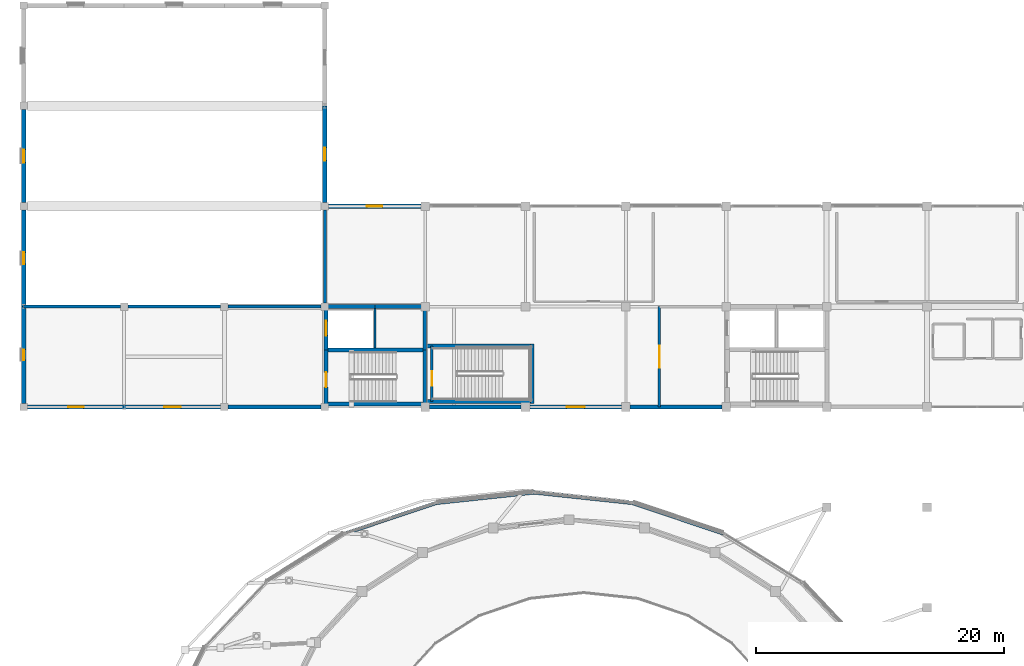
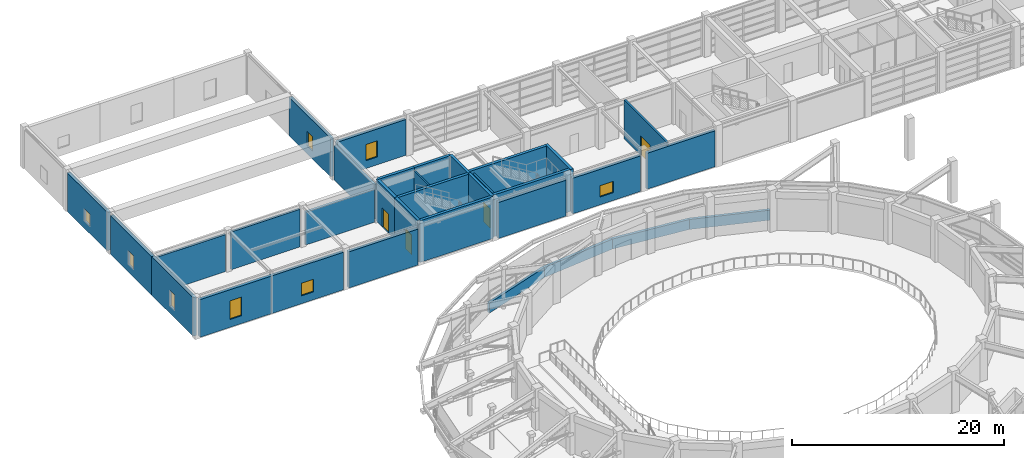
# One storey, part 44 of 58: 33 walls, 8 windows, 4 doors, 12 openings.
"""IFC4 building model written with IfcOpenShell, lengths in metres."""

import ifcopenshell
import ifcopenshell.guid

model = None  # the IFC model being written
_history = None  # IfcOwnerHistory: only IFC2X3 demands one
_inside = {}  # id of a spatial element -> (the spatial element, [elements in it])
_under = {}  # id of a project, library or spatial element -> (it, [spatial elements below it])
_declared = {}  # id of a project -> (the project, [libraries it declares])
_typed = {}  # id of a type object -> (the type object, [elements of that type])
_made_of = {}  # id of a material, layer set ... -> (it, [elements and type objects made of it])


def new_model(schema):
    """Start an empty IFC model of exactly this schema.

    Asked for "IFC4X3", IfcOpenShell would pick the latest addendum, in which some entities
    have other attributes; the version numbers below select the first issue.
    IFC2X3 requires an IfcOwnerHistory on every rooted entity: one is made here for all.
    """
    global model, _history
    if schema == "IFC4X3":
        model = ifcopenshell.file(schema_version=(4, 3, 0, 0))
    else:
        model = ifcopenshell.file(schema=schema)
    _inside.clear()
    _under.clear()
    _declared.clear()
    _typed.clear()
    _made_of.clear()
    _history = None
    if model.schema == "IFC2X3":
        org = make("IfcOrganization", Name="unknown")
        user = make(
            "IfcPersonAndOrganization",
            ThePerson=make("IfcPerson", FamilyName="unknown"),
            TheOrganization=org,
        )
        app = make(
            "IfcApplication",
            ApplicationDeveloper=org,
            Version="unknown",
            ApplicationFullName="unknown",
            ApplicationIdentifier="unknown",
        )
        _history = make(
            "IfcOwnerHistory",
            OwningUser=user,
            OwningApplication=app,
            ChangeAction="ADDED",
            CreationDate=0,
        )
    return model


def make(cls, **values):
    """One entity of the class cls with the attributes given. An attribute that is None is left unset."""
    return model.create_entity(
        cls, **{name: value for name, value in values.items() if value is not None}
    )


def rooted(cls, **values):
    """An entity with a GlobalId (a new one), such as an element, a storey or a relation."""
    return make(cls, GlobalId=ifcopenshell.guid.new(), OwnerHistory=_history, **values)


def si_unit(unit_type, name, prefix=None):
    """IfcSIUnit, for example si_unit("LENGTHUNIT", "METRE", prefix="MILLI")."""
    return make("IfcSIUnit", UnitType=unit_type, Prefix=prefix, Name=name)


def assignment(units):
    """IfcUnitAssignment: the units of a project."""
    return None if units is None else make("IfcUnitAssignment", Units=units)


def point(xyz):
    """IfcCartesianPoint."""
    return None if xyz is None else make("IfcCartesianPoint", Coordinates=xyz)


def direction(xyz):
    """IfcDirection."""
    return None if xyz is None else make("IfcDirection", DirectionRatios=xyz)


def frame(location, z_axis=None, x_axis=None):
    """IfcAxis2Placement3D, a coordinate frame: its origin and axes. An axis left out is left unset."""
    return make(
        "IfcAxis2Placement3D",
        Location=point(location),
        Axis=direction(z_axis),
        RefDirection=direction(x_axis),
    )


def frame_2d(location, x_axis=None):
    """IfcAxis2Placement2D, a coordinate frame in the plane: its origin and x axis."""
    return make(
        "IfcAxis2Placement2D", Location=point(location), RefDirection=direction(x_axis)
    )


def origin():
    """The frame at (0, 0, 0) with its axes left unset."""
    return frame((0.0, 0.0, 0.0))


def place(relative_to, where):
    """IfcLocalPlacement: puts the frame where relative to a parent placement (None: the world)."""
    return make(
        "IfcLocalPlacement", PlacementRelTo=relative_to, RelativePlacement=where
    )


def context(
    kind, dimensions, precision=None, world=None, true_north=None, identifier=None
):
    """IfcGeometricRepresentationContext, for example the 3D "Model" context."""
    return make(
        "IfcGeometricRepresentationContext",
        ContextIdentifier=identifier,
        ContextType=kind,
        CoordinateSpaceDimension=dimensions,
        Precision=precision,
        WorldCoordinateSystem=world,
        TrueNorth=true_north,
    )


def subcontext(parent, identifier, kind, view, scale=None):
    """IfcGeometricRepresentationSubContext, for example "Body" below "Model"."""
    return make(
        "IfcGeometricRepresentationSubContext",
        ContextIdentifier=identifier,
        ContextType=kind,
        ParentContext=parent,
        TargetScale=scale,
        TargetView=view,
    )


def project(units=None, contexts=None):
    """IfcProject with its units and contexts."""
    return rooted(
        "IfcProject",
        Name="project",
        RepresentationContexts=contexts,
        UnitsInContext=assignment(units),
    )


def spatial(cls, under=None, at=None, **own):
    """A site, building, storey or space (cls), placed at a placement, below another one or the project."""
    s = rooted(cls, ObjectPlacement=at, **own)
    if under is not None:
        _under.setdefault(under.id(), (under, []))[1].append(s)
    return s


def profile(cls, at=None, kind="AREA", **sizes):
    """A parametric profile (cls). Its sizes go by their IFC names, for example OverallWidth=200.0."""
    return make(cls, ProfileType=kind, Position=at, **sizes)


def rectangle(**sizes):
    """IfcRectangleProfileDef."""
    return profile("IfcRectangleProfileDef", **sizes)


def extrude(swept, where, along, depth):
    """IfcExtrudedAreaSolid: the profile swept, set in the frame where, extruded along a direction by depth."""
    return make(
        "IfcExtrudedAreaSolid",
        SweptArea=swept,
        Position=where,
        ExtrudedDirection=direction(along),
        Depth=depth,
    )


def shape(context_of_items, identifier, shape_type, items):
    """IfcShapeRepresentation: the items that make up one representation, for example the "Body"."""
    return make(
        "IfcShapeRepresentation",
        ContextOfItems=context_of_items,
        RepresentationIdentifier=identifier,
        RepresentationType=shape_type,
        Items=items,
    )


def material(Name=None, Category=None):
    """IfcMaterial."""
    return make("IfcMaterial", Name=Name, Category=Category)


def layer(
    of_material, thickness, ventilated=None, Name=None, Category=None, Priority=None
):
    """IfcMaterialLayer: one layer of a wall or slab, of a material (None: an air gap)."""
    return make(
        "IfcMaterialLayer",
        Material=of_material,
        LayerThickness=thickness,
        IsVentilated=ventilated,
        Name=Name,
        Category=Category,
        Priority=Priority,
    )


def layer_set(layers, Name=None):
    """IfcMaterialLayerSet."""
    return make("IfcMaterialLayerSet", MaterialLayers=layers, LayerSetName=Name)


def made_of(thing, what):
    """Note that an element or type object is made of a material, layer set ...; save() writes the relation."""
    if what is not None:
        _made_of.setdefault(what.id(), (what, []))[1].append(thing)
    return thing


def type_object(cls, material=None, **own):
    """A type object (cls), such as IfcWallType, which elements share."""
    return made_of(rooted(cls, **own), material)


def element(
    cls,
    number,
    at=None,
    inside=None,
    cuts=None,
    type_object=None,
    material=None,
    context=None,
    identifier="Body",
    shape_type=None,
    held_by="IfcProductDefinitionShape",
    body=None,
    shapes=None,
    **own,
):
    """One element of the class cls, such as IfcWall. Its Tag is "e" and its number.

    at: its placement. inside: the storey or other place that contains it. cuts: it is an
    opening in that element (IfcRelVoidsElement). A single representation is given by context,
    identifier, shape_type and body (its items); several are given by shapes. held_by: the class
    of the entity that holds the representations. save() writes the other relations.
    """
    e = rooted(cls, Tag="e%d" % number, ObjectPlacement=at, **own)
    if body is not None:
        shapes = [shape(context, identifier, shape_type, body)]
    if shapes is not None:
        e.Representation = make(held_by, Representations=shapes)
    if inside is not None:
        _inside.setdefault(inside.id(), (inside, []))[1].append(e)
    if cuts is not None:
        rooted(
            "IfcRelVoidsElement", RelatingBuildingElement=cuts, RelatedOpeningElement=e
        )
    if type_object is not None:
        _typed.setdefault(type_object.id(), (type_object, []))[1].append(e)
    return made_of(e, material)


def fill(opening, filler):
    """IfcRelFillsElement: the door or window that sits in an opening."""
    return rooted(
        "IfcRelFillsElement",
        RelatingOpeningElement=opening,
        RelatedBuildingElement=filler,
    )


def aggregate(whole, parts):
    """IfcRelAggregates: a whole, such as a stair, and the parts it consists of."""
    return rooted("IfcRelAggregates", RelatingObject=whole, RelatedObjects=parts)


def save(model, path):
    """Write the relations noted so far, then the file.

    IfcRelAggregates (storeys below a building ...), IfcRelContainedInSpatialStructure (elements
    in a storey), IfcRelDefinesByType, IfcRelAssociatesMaterial and IfcRelDeclares: one each for
    every whole, place, type object, material and project.
    """
    for whole, parts in _under.values():
        aggregate(whole, parts)
    for where, things in _inside.values():
        rooted(
            "IfcRelContainedInSpatialStructure",
            RelatedElements=things,
            RelatingStructure=where,
        )
    for kind, things in _typed.values():
        rooted("IfcRelDefinesByType", RelatedObjects=things, RelatingType=kind)
    for what, things in _made_of.values():
        rooted("IfcRelAssociatesMaterial", RelatedObjects=things, RelatingMaterial=what)
    for by, libraries in _declared.values():
        rooted("IfcRelDeclares", RelatingContext=by, RelatedDefinitions=libraries)
    model.write(path)


model = new_model("IFC4")

# Units and contexts
model_context = context("Model", 3, precision=1e-05, world=origin(), true_north=direction((0.0, 1.0)))
body_context = subcontext(model_context, "Body", "Model", "MODEL_VIEW")
ifc_project = project(units=[si_unit("LENGTHUNIT", "METRE"), si_unit("AREAUNIT", "SQUARE_METRE"), si_unit("VOLUMEUNIT", "CUBIC_METRE"), si_unit("PLANEANGLEUNIT", "RADIAN"), si_unit("MASSUNIT", "GRAM", prefix="KILO")], contexts=[model_context])

# Site, building, storey
site_placement = place(None, origin())
site = spatial("IfcSite", under=ifc_project, at=site_placement, CompositionType="ELEMENT")
building_placement = place(site_placement, origin())
building = spatial("IfcBuilding", under=site, at=building_placement, Name="Parian Resonance Hall", CompositionType="ELEMENT")
storey_placement = place(building_placement, frame((0.0, 0.0, 10.199951171875)))
storey = spatial("IfcBuildingStorey", under=building, at=storey_placement, Name="L02", CompositionType="ELEMENT", Elevation=10.199951171875)

# Wall, opening, door
ifc_material_1 = material(Name="Concrete C40/50", Category="concrete")
ifc_layer_1 = layer(ifc_material_1, 0.31005859375)
ifc_layer_set_1 = layer_set([ifc_layer_1], Name="Concrete C40/50")
wall_type_1 = type_object("IfcWallType", Name="CW310", PredefinedType="SHEAR", material=ifc_layer_set_1)
wall_1_placement = place(storey_placement, frame((24.389892578125, 73.14990234375, 0.0), z_axis=(0.0, 0.0, 1.0), x_axis=(0.0, 1.0, 0.0)))
wall_1 = element("IfcWall", 1, at=wall_1_placement, inside=storey, type_object=wall_type_1, Name="Core K4 stairwell west shear wall L02", PredefinedType="SHEAR", context=body_context, shape_type="SweptSolid", body=[
    extrude(rectangle(XDim=4.360107421875, YDim=0.31005859375, at=frame_2d((2.18017578125, 0.0))), origin(), (0.0, 0.0, 1.0), 4.800048828125),
])
opening_1_placement = place(wall_1_placement, frame((1.35009765625, 0.0, 0.0)))
opening_1 = element("IfcOpeningElement", 2, at=opening_1_placement, cuts=wall_1, Name="Opening FD-01", PredefinedType="OPENING", context=body_context, shape_type="SweptSolid", body=[
    extrude(rectangle(XDim=1.199951171875, YDim=2.25, at=frame_2d((0.60009765625, 1.125))), frame((0.0, 0.1650390625, 0.0), z_axis=(0.0, -1.0, 0.0), x_axis=(1.0, 0.0, 0.0)), (0.0, 0.0, 1.0), 0.330078125),
])
ifc_material_2 = material(Name="Fire-rated acoustic steel and narra timber door", Category="steel")
door_type_1 = type_object("IfcDoorType", Name="FD-01", OperationType="NOTDEFINED", PredefinedType="DOOR", material=ifc_material_2)
door_1_placement = place(opening_1_placement, origin())
door_1 = element("IfcDoor", 3, at=door_1_placement, inside=storey, type_object=door_type_1, Name="Exit stair ST-04 fire door L02", OperationType="SINGLE_SWING_LEFT", OverallHeight=2.25, OverallWidth=1.199951171875, PredefinedType="DOOR", context=body_context, shape_type="SweptSolid", body=[
    extrude(rectangle(XDim=1.199951171875, YDim=2.25, at=frame_2d((0.60009765625, 1.125))), frame((0.0, 0.02490234375, 0.0), z_axis=(0.0, -1.0, 0.0), x_axis=(1.0, 0.0, 0.0)), (0.0, 0.0, 1.0), 0.050048828125),
])
fill(opening_1, door_1)

wall_2_placement = place(storey_placement, frame((24.389892578125, 77.510009765625, 0.0), z_axis=(0.0, 0.0, 1.0), x_axis=(0.0, 1.0, 0.0)))
wall_2 = element("IfcWall", 4, at=wall_2_placement, inside=storey, type_object=wall_type_1, Name="Core K4 lift shaft west shear wall L02", PredefinedType="SHEAR", context=body_context, shape_type="SweptSolid", body=[
    extrude(rectangle(XDim=3.489990234375, YDim=0.31005859375, at=frame_2d((1.7451171875, 0.0))), origin(), (0.0, 0.0, 1.0), 4.800048828125),
])
opening_2_placement = place(wall_2_placement, frame((1.14501953125, 0.0, 0.0)))
opening_2 = element("IfcOpeningElement", 5, at=opening_2_placement, cuts=wall_2, Name="Opening LD-01", PredefinedType="OPENING", context=body_context, shape_type="SweptSolid", body=[
    extrude(rectangle(XDim=1.199951171875, YDim=2.199951171875, at=frame_2d((0.60009765625, 1.10009765625))), frame((0.0, 0.1650390625, 0.0), z_axis=(0.0, -1.0, 0.0), x_axis=(1.0, 0.0, 0.0)), (0.0, 0.0, 1.0), 0.330078125),
])
ifc_material_3 = material(Name="Stainless steel and bronze elevator cab", Category="steel")
door_type_2 = type_object("IfcDoorType", Name="DOOR-LIFT-1200x2200", OperationType="SLIDING_TO_LEFT", PredefinedType="DOOR", material=ifc_material_3)
door_2_placement = place(opening_2_placement, origin())
door_2 = element("IfcDoor", 6, at=door_2_placement, inside=storey, type_object=door_type_2, Name="Lift LF-05 sliding landing door L02", OperationType="SLIDING_TO_LEFT", OverallHeight=2.199951171875, OverallWidth=1.199951171875, PredefinedType="DOOR", context=body_context, shape_type="SweptSolid", body=[
    extrude(rectangle(XDim=1.199951171875, YDim=2.199951171875, at=frame_2d((0.60009765625, 1.10009765625))), frame((0.0, 0.02490234375, 0.0), z_axis=(0.0, -1.0, 0.0), x_axis=(1.0, 0.0, 0.0)), (0.0, 0.0, 1.0), 0.050048828125),
])
fill(opening_2, door_2)

# Walls
wall_3_placement = place(storey_placement, frame((24.389892578125, 81.0, 0.0), z_axis=(0.0, 0.0, 1.0), x_axis=(1.0, 0.0, 0.0)))
element("IfcWall", 7, at=wall_3_placement, inside=storey, type_object=wall_type_1, Name="Core K4 north-west shaft wall L02", PredefinedType="SHEAR", context=body_context, shape_type="SweptSolid", body=[
    extrude(rectangle(XDim=3.960205078125, YDim=0.31005859375, at=frame_2d((1.97998046875, 0.0))), origin(), (0.0, 0.0, 1.0), 4.800048828125),
])
wall_4_placement = place(storey_placement, frame((28.35009765625, 81.0, 0.0), z_axis=(0.0, 0.0, 1.0), x_axis=(1.0, 0.0, 0.0)))
element("IfcWall", 8, at=wall_4_placement, inside=storey, type_object=wall_type_1, Name="Core K4 north-east shaft wall L02", PredefinedType="SHEAR", context=body_context, shape_type="SweptSolid", body=[
    extrude(rectangle(XDim=4.02001953125, YDim=0.31005859375, at=frame_2d((2.010009765625, 0.0))), origin(), (0.0, 0.0, 1.0), 4.800048828125),
])
wall_5_placement = place(storey_placement, frame((32.3701171875, 81.0, 0.0), z_axis=(0.0, 0.0, 1.0), x_axis=(0.0, -1.0, 0.0)))
element("IfcWall", 9, at=wall_5_placement, inside=storey, type_object=wall_type_1, Name="Core K4 east shaft wall L02", PredefinedType="SHEAR", context=body_context, shape_type="SweptSolid", body=[
    extrude(rectangle(XDim=3.489990234375, YDim=0.31005859375, at=frame_2d((1.7451171875, 0.0))), origin(), (0.0, 0.0, 1.0), 4.800048828125),
])
wall_6_placement = place(storey_placement, frame((32.3701171875, 77.510009765625, 0.0), z_axis=(0.0, 0.0, 1.0), x_axis=(0.0, -1.0, 0.0)))
element("IfcWall", 10, at=wall_6_placement, inside=storey, type_object=wall_type_1, Name="Core K4 stairwell east wall L02", PredefinedType="SHEAR", context=body_context, shape_type="SweptSolid", body=[
    extrude(rectangle(XDim=4.360107421875, YDim=0.31005859375, at=frame_2d((2.18017578125, 0.0))), origin(), (0.0, 0.0, 1.0), 4.800048828125),
])
for number, where, z_axis, x_axis, name in (
    (11, (32.3701171875, 73.14990234375, 0.0), (0.0, 0.0, 1.0), (-1.0, 0.0, 0.0), "Core K4 stairwell south wall L02"),
    (12, (24.389892578125, 77.510009765625, 0.0), (0.0, 0.0, 1.0), (1.0, 0.0, 0.0), "Core K4 stair-lift divider wall L02"),
):
    element("IfcWall", number, at=place(storey_placement, frame(where, z_axis=z_axis, x_axis=x_axis)), inside=storey, type_object=wall_type_1, Name=name, PredefinedType="SHEAR", context=body_context, shape_type="SweptSolid", body=[
        extrude(rectangle(XDim=7.980224609375, YDim=0.31005859375, at=frame_2d((3.990234375, 0.0))), origin(), (0.0, 0.0, 1.0), 4.800048828125),
    ])
wall_7_placement = place(storey_placement, frame((32.39990234375, 73.35009765625, 0.0), z_axis=(0.0, 0.0, 1.0), x_axis=(1.0, 0.0, 0.0)))
element("IfcWall", 13, at=wall_7_placement, inside=storey, type_object=wall_type_1, Name="Enclosed foyer exit stair ST-07 shear wall L02-S", PredefinedType="SHEAR", context=body_context, shape_type="SweptSolid", body=[
    extrude(rectangle(XDim=8.795166015625, YDim=0.31005859375, at=frame_2d((4.3974609375, 0.0))), origin(), (0.0, 0.0, 1.0), 4.800048828125),
])
wall_8_placement = place(storey_placement, frame((41.0400390625, 73.195068359375, 0.0), z_axis=(0.0, 0.0, 1.0), x_axis=(0.0, 1.0, 0.0)))
element("IfcWall", 14, at=wall_8_placement, inside=storey, type_object=wall_type_1, Name="Enclosed foyer exit stair ST-07 shear wall L02-E", PredefinedType="SHEAR", context=body_context, shape_type="SweptSolid", body=[
    extrude(rectangle(XDim=4.7900390625, YDim=0.31005859375, at=frame_2d((2.39501953125, 0.0))), origin(), (0.0, 0.0, 1.0), 4.800048828125),
])
wall_9_placement = place(storey_placement, frame((41.195068359375, 77.830078125, 0.0), z_axis=(0.0, 0.0, 1.0), x_axis=(-1.0, 0.0, 0.0)))
element("IfcWall", 15, at=wall_9_placement, inside=storey, type_object=wall_type_1, Name="Enclosed foyer exit stair ST-07 shear wall L02-N", PredefinedType="SHEAR", context=body_context, shape_type="SweptSolid", body=[
    extrude(rectangle(XDim=8.795166015625, YDim=0.31005859375, at=frame_2d((4.3974609375, 0.0))), origin(), (0.0, 0.0, 1.0), 4.800048828125),
])
ifc_material_4 = material(Name="Concrete C35/45 with white lime plaster and polychrome mosaic", Category="concrete")
ifc_layer_2 = layer(ifc_material_4, 0.2900390625)
ifc_layer_set_2 = layer_set([ifc_layer_2], Name="Concrete C35/45 with white lime plaster and polychrome mosaic")
wall_type_2 = type_object("IfcWallType", Name="EW-RING-290", PredefinedType="SOLIDWALL", material=ifc_layer_set_2)
wall_10_placement = place(storey_placement, frame((49.119873046875, 65.155029296875, 0.0), z_axis=(0.0, 0.0, 1.0), x_axis=(0.948006883481, -0.318249821481, 0.0)))
element("IfcWall", 16, at=wall_10_placement, inside=storey, type_object=wall_type_2, Name="Elliptical R2 mosaic spandrel wall 05", PredefinedType="SOLIDWALL", context=body_context, shape_type="SweptSolid", body=[
    extrude(rectangle(XDim=7.784912109375, YDim=0.2900390625, at=frame_2d((3.892578125, 0.0))), origin(), (0.0, 0.0, 1.0), 1.150146484375),
])
for number, where, z_axis, x_axis, name in (
    (17, (41.199951171875, 66.0, 0.0), (0.0, 0.0, 1.0), (0.994356829595, -0.106087206758, 0.0), "Elliptical R2 mosaic spandrel wall 06"),
    (18, (33.280029296875, 65.155029296875, 0.0), (0.0, 0.0, 1.0), (0.994356829595, 0.106087206758, 0.0), "Elliptical R2 mosaic spandrel wall 07"),
):
    element("IfcWall", number, at=place(storey_placement, frame(where, z_axis=z_axis, x_axis=x_axis)), inside=storey, type_object=wall_type_2, Name=name, PredefinedType="SOLIDWALL", context=body_context, shape_type="SweptSolid", body=[
        extrude(rectangle(XDim=7.96484375, YDim=0.2900390625, at=frame_2d((3.982421875, 0.0))), origin(), (0.0, 0.0, 1.0), 1.150146484375),
    ])
wall_11_placement = place(storey_placement, frame((25.89990234375, 62.677490234375, 0.0), z_axis=(0.0, 0.0, 1.0), x_axis=(0.948006883481, 0.318249821481, 0.0)))
element("IfcWall", 19, at=wall_11_placement, inside=storey, type_object=wall_type_2, Name="Elliptical R2 mosaic spandrel wall 08", PredefinedType="SOLIDWALL", context=body_context, shape_type="SweptSolid", body=[
    extrude(rectangle(XDim=7.784912109375, YDim=0.2900390625, at=frame_2d((3.892578125, 0.0))), origin(), (0.0, 0.0, 1.0), 1.150146484375),
])

# Wall, opening, window
ifc_material_5 = material(Name="Concrete C35/45 with Carcar coral-limestone ashlar", Category="masonry")
ifc_layer_3 = layer(ifc_material_5, 0.340087890625)
ifc_layer_set_3 = layer_set([ifc_layer_3], Name="Concrete C35/45 with Carcar coral-limestone ashlar")
wall_type_3 = type_object("IfcWallType", Name="EW-STONE-340", PredefinedType="SOLIDWALL", material=ifc_layer_set_3)
wall_12_placement = place(storey_placement, frame((24.300048828125, 89.39990234375, 0.0), z_axis=(0.0, 0.0, 1.0), x_axis=(0.0, 1.0, 0.0)))
wall_12 = element("IfcWall", 20, at=wall_12_placement, inside=storey, type_object=wall_type_3, Name="Exterior wall EW-L02-0112", PredefinedType="SOLIDWALL", context=body_context, shape_type="SweptSolid", body=[
    extrude(rectangle(XDim=7.800048828125, YDim=0.340087890625, at=frame_2d((3.89990234375, 0.0))), origin(), (0.0, 0.0, 1.0), 4.43701171875),
])
opening_3_placement = place(wall_12_placement, frame((3.375, 0.0, 0.89990234375)))
opening_3 = element("IfcOpeningElement", 21, at=opening_3_placement, cuts=wall_12, Name="Opening WN-08", PredefinedType="OPENING", context=body_context, shape_type="SweptSolid", body=[
    extrude(rectangle(XDim=1.050048828125, YDim=1.64990234375, at=frame_2d((0.52490234375, 0.824951171875))), frame((0.0, 0.179931640625, 0.0), z_axis=(0.0, -1.0, 0.0), x_axis=(1.0, 0.0, 0.0)), (0.0, 0.0, 1.0), 0.360107421875),
])
ifc_material_6 = material(Name="Acoustic laminated double glazing", Category="glass")
window_type_1 = type_object("IfcWindowType", Name="WIN-1050x1650", PartitioningType="SINGLE_PANEL", PredefinedType="WINDOW", material=ifc_material_6)
window_1_placement = place(opening_3_placement, origin())
window_1 = element("IfcWindow", 22, at=window_1_placement, inside=storey, type_object=window_type_1, Name="Acoustic window L02-0007", OverallHeight=1.64990234375, OverallWidth=1.050048828125, PartitioningType="SINGLE_PANEL", PredefinedType="WINDOW", context=body_context, shape_type="SweptSolid", body=[
    extrude(rectangle(XDim=1.050048828125, YDim=1.64990234375, at=frame_2d((0.52490234375, 0.824951171875))), frame((0.0, 0.030029296875, 0.0), z_axis=(0.0, -1.0, 0.0), x_axis=(1.0, 0.0, 0.0)), (0.0, 0.0, 1.0), 0.06005859375),
])
fill(opening_3, window_1)

wall_13_placement = place(storey_placement, frame((32.050048828125, 89.10009765625, 0.0), z_axis=(0.0, 0.0, 1.0), x_axis=(-1.0, 0.0, 0.0)))
wall_13 = element("IfcWall", 23, at=wall_13_placement, inside=storey, type_object=wall_type_3, Name="Perimeter closure wall L02", PredefinedType="SOLIDWALL", context=body_context, shape_type="SweptSolid", body=[
    extrude(rectangle(XDim=7.449951171875, YDim=0.340087890625, at=frame_2d((3.72509765625, 0.0))), origin(), (0.0, 0.0, 1.0), 4.114990234375),
])
opening_4_placement = place(wall_13_placement, frame((3.10009765625, 0.0, 0.89990234375)))
opening_4 = element("IfcOpeningElement", 24, at=opening_4_placement, cuts=wall_13, Name="Opening WN-15", PredefinedType="OPENING", context=body_context, shape_type="SweptSolid", body=[
    extrude(rectangle(XDim=1.25, YDim=1.85009765625, at=frame_2d((0.625, 0.925048828125))), frame((0.0, 0.179931640625, 0.0), z_axis=(0.0, -1.0, 0.0), x_axis=(1.0, 0.0, 0.0)), (0.0, 0.0, 1.0), 0.360107421875),
])
ifc_material_7 = material(Name="Acoustic laminated double glazing", Category="glass")
window_type_2 = type_object("IfcWindowType", Name="WIN-1250x1850", PartitioningType="SINGLE_PANEL", PredefinedType="WINDOW", material=ifc_material_7)
window_2_placement = place(opening_4_placement, origin())
window_2 = element("IfcWindow", 25, at=window_2_placement, inside=storey, type_object=window_type_2, Name="Acoustic window L02-0093", OverallHeight=1.85009765625, OverallWidth=1.25, PartitioningType="SINGLE_PANEL", PredefinedType="WINDOW", context=body_context, shape_type="SweptSolid", body=[
    extrude(rectangle(XDim=1.25, YDim=1.85009765625, at=frame_2d((0.625, 0.925048828125))), frame((0.0, 0.030029296875, 0.0), z_axis=(0.0, -1.0, 0.0), x_axis=(1.0, 0.0, 0.0)), (0.0, 0.0, 1.0), 0.06005859375),
])
fill(opening_4, window_2)

wall_14_placement = place(storey_placement, frame((0.300048828125, 72.89990234375, 0.0), z_axis=(0.0, 0.0, 1.0), x_axis=(1.0, 0.0, 0.0)))
wall_14 = element("IfcWall", 26, at=wall_14_placement, inside=storey, type_object=wall_type_3, Name="Perimeter closure wall L02", PredefinedType="SOLIDWALL", context=body_context, shape_type="SweptSolid", body=[
    extrude(rectangle(XDim=7.800048828125, YDim=0.340087890625, at=frame_2d((3.89990234375, 0.0))), origin(), (0.0, 0.0, 1.0), 4.324951171875),
])
opening_5_placement = place(wall_14_placement, frame((3.27490234375, 0.0, 0.89990234375)))
opening_5 = element("IfcOpeningElement", 27, at=opening_5_placement, cuts=wall_14, Name="Opening WN-16", PredefinedType="OPENING", context=body_context, shape_type="SweptSolid", body=[
    extrude(rectangle(XDim=1.25, YDim=2.14990234375, at=frame_2d((0.625, 1.074951171875))), frame((0.0, 0.179931640625, 0.0), z_axis=(0.0, -1.0, 0.0), x_axis=(1.0, 0.0, 0.0)), (0.0, 0.0, 1.0), 0.360107421875),
])
ifc_material_8 = material(Name="Acoustic laminated double glazing", Category="glass")
window_type_3 = type_object("IfcWindowType", Name="WIN-1250x2150", PartitioningType="SINGLE_PANEL", PredefinedType="WINDOW", material=ifc_material_8)
window_3_placement = place(opening_5_placement, origin())
window_3 = element("IfcWindow", 28, at=window_3_placement, inside=storey, type_object=window_type_3, Name="Acoustic window L02-0094", OverallHeight=2.14990234375, OverallWidth=1.25, PartitioningType="SINGLE_PANEL", PredefinedType="WINDOW", context=body_context, shape_type="SweptSolid", body=[
    extrude(rectangle(XDim=1.25, YDim=2.14990234375, at=frame_2d((0.625, 1.074951171875))), frame((0.0, 0.030029296875, 0.0), z_axis=(0.0, -1.0, 0.0), x_axis=(1.0, 0.0, 0.0)), (0.0, 0.0, 1.0), 0.06005859375),
])
fill(opening_5, window_3)

wall_15_placement = place(storey_placement, frame((8.10009765625, 72.89990234375, 0.0), z_axis=(0.0, 0.0, 1.0), x_axis=(1.0, 0.0, 0.0)))
wall_15 = element("IfcWall", 29, at=wall_15_placement, inside=storey, type_object=wall_type_3, Name="Perimeter closure wall L02", PredefinedType="SOLIDWALL", context=body_context, shape_type="SweptSolid", body=[
    extrude(rectangle(XDim=7.7998046875, YDim=0.340087890625, at=frame_2d((3.89990234375, 0.0))), origin(), (0.0, 0.0, 1.0), 4.324951171875),
])
opening_6_placement = place(wall_15_placement, frame((3.22509765625, 0.0, 0.89990234375)))
opening_6 = element("IfcOpeningElement", 30, at=opening_6_placement, cuts=wall_15, Name="Opening WN-17", PredefinedType="OPENING", context=body_context, shape_type="SweptSolid", body=[
    extrude(rectangle(XDim=1.35009765625, YDim=1.449951171875, at=frame_2d((0.675048828125, 0.72509765625))), frame((0.0, 0.179931640625, 0.0), z_axis=(0.0, -1.0, 0.0), x_axis=(1.0, 0.0, 0.0)), (0.0, 0.0, 1.0), 0.360107421875),
])
ifc_material_9 = material(Name="Acoustic laminated double glazing", Category="glass")
window_type_4 = type_object("IfcWindowType", Name="WIN-1350x1450", PartitioningType="SINGLE_PANEL", PredefinedType="WINDOW", material=ifc_material_9)
window_4_placement = place(opening_6_placement, origin())
window_4 = element("IfcWindow", 31, at=window_4_placement, inside=storey, type_object=window_type_4, Name="Acoustic window L02-0095", OverallHeight=1.449951171875, OverallWidth=1.35009765625, PartitioningType="SINGLE_PANEL", PredefinedType="WINDOW", context=body_context, shape_type="SweptSolid", body=[
    extrude(rectangle(XDim=1.35009765625, YDim=1.449951171875, at=frame_2d((0.675048828125, 0.72509765625))), frame((0.0, 0.030029296875, 0.0), z_axis=(0.0, -1.0, 0.0), x_axis=(1.0, 0.0, 0.0)), (0.0, 0.0, 1.0), 0.06005859375),
])
fill(opening_6, window_4)

# Walls
wall_16_placement = place(storey_placement, frame((16.5, 72.89990234375, 0.0), z_axis=(0.0, 0.0, 1.0), x_axis=(1.0, 0.0, 0.0)))
element("IfcWall", 32, at=wall_16_placement, inside=storey, type_object=wall_type_3, Name="Perimeter closure wall L02", PredefinedType="SOLIDWALL", context=body_context, shape_type="SweptSolid", body=[
    extrude(rectangle(XDim=7.5, YDim=0.340087890625, at=frame_2d((3.75, 0.0))), origin(), (0.0, 0.0, 1.0), 4.156982421875),
])
wall_17_placement = place(storey_placement, frame((32.75, 72.89990234375, 0.0), z_axis=(0.0, 0.0, 1.0), x_axis=(1.0, 0.0, 0.0)))
element("IfcWall", 33, at=wall_17_placement, inside=storey, type_object=wall_type_3, Name="Perimeter closure wall L02", PredefinedType="SOLIDWALL", context=body_context, shape_type="SweptSolid", body=[
    extrude(rectangle(XDim=7.39990234375, YDim=0.340087890625, at=frame_2d((3.699951171875, 0.0))), origin(), (0.0, 0.0, 1.0), 4.136962890625),
])

# Wall, opening, window
wall_18_placement = place(storey_placement, frame((40.85009765625, 72.89990234375, 0.0), z_axis=(0.0, 0.0, 1.0), x_axis=(1.0, 0.0, 0.0)))
wall_18 = element("IfcWall", 34, at=wall_18_placement, inside=storey, type_object=wall_type_3, Name="Perimeter closure wall L02", PredefinedType="SOLIDWALL", context=body_context, shape_type="SweptSolid", body=[
    extrude(rectangle(XDim=7.39990234375, YDim=0.340087890625, at=frame_2d((3.699951171875, 0.0))), origin(), (0.0, 0.0, 1.0), 4.0849609375),
])
opening_7_placement = place(wall_18_placement, frame((2.97509765625, 0.0, 0.89990234375)))
opening_7 = element("IfcOpeningElement", 35, at=opening_7_placement, cuts=wall_18, Name="Opening WN-20", PredefinedType="OPENING", context=body_context, shape_type="SweptSolid", body=[
    extrude(rectangle(XDim=1.449951171875, YDim=1.300048828125, at=frame_2d((0.72509765625, 0.64990234375))), frame((0.0, 0.179931640625, 0.0), z_axis=(0.0, -1.0, 0.0), x_axis=(1.0, 0.0, 0.0)), (0.0, 0.0, 1.0), 0.360107421875),
])
ifc_material_10 = material(Name="Acoustic laminated double glazing", Category="glass")
window_type_5 = type_object("IfcWindowType", Name="WIN-1450x1300", PartitioningType="SINGLE_PANEL", PredefinedType="WINDOW", material=ifc_material_10)
window_5_placement = place(opening_7_placement, origin())
window_5 = element("IfcWindow", 36, at=window_5_placement, inside=storey, type_object=window_type_5, Name="Acoustic window L02-0096", OverallHeight=1.300048828125, OverallWidth=1.449951171875, PartitioningType="SINGLE_PANEL", PredefinedType="WINDOW", context=body_context, shape_type="SweptSolid", body=[
    extrude(rectangle(XDim=1.449951171875, YDim=1.300048828125, at=frame_2d((0.72509765625, 0.64990234375))), frame((0.0, 0.030029296875, 0.0), z_axis=(0.0, -1.0, 0.0), x_axis=(1.0, 0.0, 0.0)), (0.0, 0.0, 1.0), 0.06005859375),
])
fill(opening_7, window_5)

# Wall
wall_19_placement = place(storey_placement, frame((48.949951171875, 72.89990234375, 0.0), z_axis=(0.0, 0.0, 1.0), x_axis=(1.0, 0.0, 0.0)))
element("IfcWall", 37, at=wall_19_placement, inside=storey, type_object=wall_type_3, Name="Perimeter closure wall L02", PredefinedType="SOLIDWALL", context=body_context, shape_type="SweptSolid", body=[
    extrude(rectangle(XDim=7.400146484375, YDim=0.340087890625, at=frame_2d((3.7001953125, 0.0))), origin(), (0.0, 0.0, 1.0), 4.136962890625),
])

# Wall, opening, window
ifc_material_11 = material(Name="Concrete C35/45 with Carcar coral-limestone ashlar", Category="masonry")
ifc_layer_4 = layer(ifc_material_11, 0.360107421875)
ifc_layer_set_4 = layer_set([ifc_layer_4], Name="Concrete C35/45 with Carcar coral-limestone ashlar")
wall_type_4 = type_object("IfcWallType", Name="EW-STONE-360", PredefinedType="SOLIDWALL", material=ifc_layer_set_4)
wall_20_placement = place(storey_placement, frame((0.0, 73.199951171875, 0.0), z_axis=(0.0, 0.0, 1.0), x_axis=(0.0, 1.0, 0.0)))
wall_20 = element("IfcWall", 38, at=wall_20_placement, inside=storey, type_object=wall_type_4, Name="Exterior wall EW-L02-0105", PredefinedType="SOLIDWALL", context=body_context, shape_type="SweptSolid", body=[
    extrude(rectangle(XDim=7.800048828125, YDim=0.360107421875, at=frame_2d((3.89990234375, 0.0))), origin(), (0.0, 0.0, 1.0), 4.43701171875),
])
opening_8_placement = place(wall_20_placement, frame((3.47509765625, 0.0, 0.89990234375)))
opening_8 = element("IfcOpeningElement", 39, at=opening_8_placement, cuts=wall_20, Name="Opening WN-03", PredefinedType="OPENING", context=body_context, shape_type="SweptSolid", body=[
    extrude(rectangle(XDim=0.85009765625, YDim=1.75, at=frame_2d((0.425048828125, 0.875))), frame((0.0, 0.18994140625, 0.0), z_axis=(0.0, -1.0, 0.0), x_axis=(1.0, 0.0, 0.0)), (0.0, 0.0, 1.0), 0.380126953125),
])
ifc_material_12 = material(Name="Acoustic laminated double glazing", Category="glass")
window_type_6 = type_object("IfcWindowType", Name="WIN-850x1750", PartitioningType="SINGLE_PANEL", PredefinedType="WINDOW", material=ifc_material_12)
window_6_placement = place(opening_8_placement, origin())
window_6 = element("IfcWindow", 40, at=window_6_placement, inside=storey, type_object=window_type_6, Name="Acoustic window L02-0002", OverallHeight=1.75, OverallWidth=0.85009765625, PartitioningType="SINGLE_PANEL", PredefinedType="WINDOW", context=body_context, shape_type="SweptSolid", body=[
    extrude(rectangle(XDim=0.85009765625, YDim=1.75, at=frame_2d((0.425048828125, 0.875))), frame((0.0, 0.030029296875, 0.0), z_axis=(0.0, -1.0, 0.0), x_axis=(1.0, 0.0, 0.0)), (0.0, 0.0, 1.0), 0.06005859375),
])
fill(opening_8, window_6)

wall_21_placement = place(storey_placement, frame((0.0, 81.0, 0.0), z_axis=(0.0, 0.0, 1.0), x_axis=(0.0, 1.0, 0.0)))
wall_21 = element("IfcWall", 41, at=wall_21_placement, inside=storey, type_object=wall_type_4, Name="Exterior wall EW-L02-0108", PredefinedType="SOLIDWALL", context=body_context, shape_type="SweptSolid", body=[
    extrude(rectangle(XDim=7.800048828125, YDim=0.360107421875, at=frame_2d((3.89990234375, 0.0))), origin(), (0.0, 0.0, 1.0), 4.43701171875),
])
opening_9_placement = place(wall_21_placement, frame((3.425048828125, 0.0, 0.89990234375)))
opening_9 = element("IfcOpeningElement", 42, at=opening_9_placement, cuts=wall_21, Name="Opening WN-05", PredefinedType="OPENING", context=body_context, shape_type="SweptSolid", body=[
    extrude(rectangle(XDim=0.949951171875, YDim=1.550048828125, at=frame_2d((0.47509765625, 0.77490234375))), frame((0.0, 0.18994140625, 0.0), z_axis=(0.0, -1.0, 0.0), x_axis=(1.0, 0.0, 0.0)), (0.0, 0.0, 1.0), 0.380126953125),
])
ifc_material_13 = material(Name="Acoustic laminated double glazing", Category="glass")
window_type_7 = type_object("IfcWindowType", Name="WIN-950x1550", PartitioningType="SINGLE_PANEL", PredefinedType="WINDOW", material=ifc_material_13)
window_7_placement = place(opening_9_placement, origin())
window_7 = element("IfcWindow", 43, at=window_7_placement, inside=storey, type_object=window_type_7, Name="Acoustic window L02-0004", OverallHeight=1.550048828125, OverallWidth=0.949951171875, PartitioningType="SINGLE_PANEL", PredefinedType="WINDOW", context=body_context, shape_type="SweptSolid", body=[
    extrude(rectangle(XDim=0.949951171875, YDim=1.550048828125, at=frame_2d((0.47509765625, 0.77490234375))), frame((0.0, 0.030029296875, 0.0), z_axis=(0.0, -1.0, 0.0), x_axis=(1.0, 0.0, 0.0)), (0.0, 0.0, 1.0), 0.06005859375),
])
fill(opening_9, window_7)

wall_22_placement = place(storey_placement, frame((0.0, 89.39990234375, 0.0), z_axis=(0.0, 0.0, 1.0), x_axis=(0.0, 1.0, 0.0)))
wall_22 = element("IfcWall", 44, at=wall_22_placement, inside=storey, type_object=wall_type_4, Name="Exterior wall EW-L02-0111", PredefinedType="SOLIDWALL", context=body_context, shape_type="SweptSolid", body=[
    extrude(rectangle(XDim=7.5, YDim=0.360107421875, at=frame_2d((3.75, 0.0))), origin(), (0.0, 0.0, 1.0), 4.43701171875),
])
opening_10_placement = place(wall_22_placement, frame((3.22509765625, 0.0, 0.89990234375)))
opening_10 = element("IfcOpeningElement", 45, at=opening_10_placement, cuts=wall_22, Name="Opening WN-07", PredefinedType="OPENING", context=body_context, shape_type="SweptSolid", body=[
    extrude(rectangle(XDim=1.050048828125, YDim=1.35009765625, at=frame_2d((0.52490234375, 0.675048828125))), frame((0.0, 0.18994140625, 0.0), z_axis=(0.0, -1.0, 0.0), x_axis=(1.0, 0.0, 0.0)), (0.0, 0.0, 1.0), 0.380126953125),
])
ifc_material_14 = material(Name="Acoustic laminated double glazing", Category="glass")
window_type_8 = type_object("IfcWindowType", Name="WIN-1050x1350", PartitioningType="SINGLE_PANEL", PredefinedType="WINDOW", material=ifc_material_14)
window_8_placement = place(opening_10_placement, origin())
window_8 = element("IfcWindow", 46, at=window_8_placement, inside=storey, type_object=window_type_8, Name="Acoustic window L02-0006", OverallHeight=1.35009765625, OverallWidth=1.050048828125, PartitioningType="SINGLE_PANEL", PredefinedType="WINDOW", context=body_context, shape_type="SweptSolid", body=[
    extrude(rectangle(XDim=1.050048828125, YDim=1.35009765625, at=frame_2d((0.52490234375, 0.675048828125))), frame((0.0, 0.030029296875, 0.0), z_axis=(0.0, -1.0, 0.0), x_axis=(1.0, 0.0, 0.0)), (0.0, 0.0, 1.0), 0.06005859375),
])
fill(opening_10, window_8)

# Wall, opening, door
ifc_material_15 = material(Name="Concrete C35/45 fire barrier", Category="concrete")
ifc_layer_5 = layer(ifc_material_15, 0.199951171875)
ifc_layer_set_5 = layer_set([ifc_layer_5], Name="Concrete C35/45 fire barrier")
wall_type_5 = type_object("IfcWallType", Name="FW200", PredefinedType="PARTITIONING", material=ifc_layer_set_5)
wall_23_placement = place(storey_placement, frame((51.300048828125, 72.89990234375, 0.0), z_axis=(0.0, 0.0, 1.0), x_axis=(0.0, 1.0, 0.0)))
wall_23 = element("IfcWall", 47, at=wall_23_placement, inside=storey, type_object=wall_type_5, Name="Firefighting lift lobby K1 west fire barrier L02", PredefinedType="PARTITIONING", context=body_context, shape_type="SweptSolid", body=[
    extrude(rectangle(XDim=8.10009765625, YDim=0.199951171875, at=frame_2d((4.050048828125, 0.0))), origin(), (0.0, 0.0, 1.0), 4.5),
])
opening_11_placement = place(wall_23_placement, frame((3.14990234375, 0.0, 0.0)))
opening_11 = element("IfcOpeningElement", 48, at=opening_11_placement, cuts=wall_23, Name="Opening FD-02", PredefinedType="OPENING", context=body_context, shape_type="SweptSolid", body=[
    extrude(rectangle(XDim=1.800048828125, YDim=2.25, at=frame_2d((0.89990234375, 1.125))), frame((0.0, 0.10986328125, 0.0), z_axis=(0.0, -1.0, 0.0), x_axis=(1.0, 0.0, 0.0)), (0.0, 0.0, 1.0), 0.219970703125),
])
ifc_material_16 = material(Name="Fire-rated acoustic steel and narra timber door", Category="steel")
door_type_3 = type_object("IfcDoorType", Name="FD-02", OperationType="NOTDEFINED", PredefinedType="DOOR", material=ifc_material_16)
door_3_placement = place(opening_11_placement, origin())
door_3 = element("IfcDoor", 49, at=door_3_placement, inside=storey, type_object=door_type_3, Name="Firefighting lift lobby K1 smoke-seal fire door L02", OperationType="DOUBLE_DOOR_SINGLE_SWING", OverallHeight=2.25, OverallWidth=1.800048828125, PredefinedType="DOOR", context=body_context, shape_type="SweptSolid", body=[
    extrude(rectangle(XDim=1.800048828125, YDim=2.25, at=frame_2d((0.89990234375, 1.125))), frame((0.0, 0.02490234375, 0.0), z_axis=(0.0, -1.0, 0.0), x_axis=(1.0, 0.0, 0.0)), (0.0, 0.0, 1.0), 0.050048828125),
])
fill(opening_11, door_3)

wall_24_placement = place(storey_placement, frame((32.949951171875, 73.35009765625, 0.0), z_axis=(0.0, 0.0, 1.0), x_axis=(0.0, 1.0, 0.0)))
wall_24 = element("IfcWall", 50, at=wall_24_placement, inside=storey, type_object=wall_type_5, Name="Enclosed foyer exit stair ST-07 fire-door front wall L02", PredefinedType="PARTITIONING", context=body_context, shape_type="SweptSolid", body=[
    extrude(rectangle(XDim=4.47998046875, YDim=0.199951171875, at=frame_2d((2.239990234375, 0.0))), origin(), (0.0, 0.0, 1.0), 4.449951171875),
])
opening_12_placement = place(wall_24_placement, frame((1.25, 0.0, 0.0)))
opening_12 = element("IfcOpeningElement", 51, at=opening_12_placement, cuts=wall_24, Name="Opening FD-01", PredefinedType="OPENING", context=body_context, shape_type="SweptSolid", body=[
    extrude(rectangle(XDim=1.199951171875, YDim=2.25, at=frame_2d((0.60009765625, 1.125))), frame((0.0, 0.10986328125, 0.0), z_axis=(0.0, -1.0, 0.0), x_axis=(1.0, 0.0, 0.0)), (0.0, 0.0, 1.0), 0.219970703125),
])
door_4_placement = place(opening_12_placement, origin())
door_4 = element("IfcDoor", 52, at=door_4_placement, inside=storey, type_object=door_type_1, Name="Exit stair ST-07 fire door L02", OperationType="SINGLE_SWING_RIGHT", OverallHeight=2.25, OverallWidth=1.199951171875, PredefinedType="DOOR", context=body_context, shape_type="SweptSolid", body=[
    extrude(rectangle(XDim=1.199951171875, YDim=2.25, at=frame_2d((0.60009765625, 1.125))), frame((0.0, 0.02490234375, 0.0), z_axis=(0.0, -1.0, 0.0), x_axis=(1.0, 0.0, 0.0)), (0.0, 0.0, 1.0), 0.050048828125),
])
fill(opening_12, door_4)

# Walls
ifc_material_17 = material(Name="Concrete C35/45 fire barrier", Category="concrete")
ifc_layer_6 = layer(ifc_material_17, 0.25)
ifc_layer_set_6 = layer_set([ifc_layer_6], Name="Concrete C35/45 fire barrier")
wall_type_6 = type_object("IfcWallType", Name="HW250", PredefinedType="SOLIDWALL", material=ifc_layer_set_6)
wall_25_placement = place(storey_placement, frame((0.0, 81.0, 0.0), z_axis=(0.0, 0.0, 1.0), x_axis=(1.0, 0.0, 0.0)))
element("IfcWall", 53, at=wall_25_placement, inside=storey, type_object=wall_type_6, Name="Chamber Music Hall south acoustic wall L02-1", PredefinedType="SOLIDWALL", context=body_context, shape_type="SweptSolid", body=[
    extrude(rectangle(XDim=7.800048828125, YDim=0.25, at=frame_2d((3.89990234375, 0.0))), origin(), (0.0, 0.0, 1.0), 4.260986328125),
])
wall_26_placement = place(storey_placement, frame((8.39990234375, 81.0, 0.0), z_axis=(0.0, 0.0, 1.0), x_axis=(1.0, 0.0, 0.0)))
element("IfcWall", 54, at=wall_26_placement, inside=storey, type_object=wall_type_6, Name="Chamber Music Hall south acoustic wall L02-2", PredefinedType="SOLIDWALL", context=body_context, shape_type="SweptSolid", body=[
    extrude(rectangle(XDim=7.5, YDim=0.25, at=frame_2d((3.75, 0.0))), origin(), (0.0, 0.0, 1.0), 4.333984375),
])
wall_27_placement = place(storey_placement, frame((16.5, 81.0, 0.0), z_axis=(0.0, 0.0, 1.0), x_axis=(1.0, 0.0, 0.0)))
element("IfcWall", 55, at=wall_27_placement, inside=storey, type_object=wall_type_6, Name="Chamber Music Hall south acoustic wall L02-3", PredefinedType="SOLIDWALL", context=body_context, shape_type="SweptSolid", body=[
    extrude(rectangle(XDim=7.5, YDim=0.25, at=frame_2d((3.75, 0.0))), origin(), (0.0, 0.0, 1.0), 3.774169921875),
])
wall_28_placement = place(storey_placement, frame((24.300048828125, 81.300048828125, 0.0), z_axis=(0.0, 0.0, 1.0), x_axis=(0.0, 1.0, 0.0)))
element("IfcWall", 56, at=wall_28_placement, inside=storey, type_object=wall_type_6, Name="Chamber Music Hall east acoustic wall L02-10", PredefinedType="SOLIDWALL", context=body_context, shape_type="SweptSolid", body=[
    extrude(rectangle(XDim=7.5, YDim=0.25, at=frame_2d((3.75, 0.0))), origin(), (0.0, 0.0, 1.0), 3.984130859375),
])
ifc_material_18 = material(Name="Concrete C35/45 acoustic plumbing chase wall", Category="concrete")
ifc_layer_7 = layer(ifc_material_18, 0.14990234375)
ifc_layer_set_7 = layer_set([ifc_layer_7], Name="Concrete C35/45 acoustic plumbing chase wall")
wall_type_7 = type_object("IfcWallType", Name="PW150", PredefinedType="PLUMBINGWALL", material=ifc_layer_set_7)
wall_29_placement = place(storey_placement, frame((28.35009765625, 77.669921875, 0.0), z_axis=(0.0, 0.0, 1.0), x_axis=(0.0, 1.0, 0.0)))
element("IfcWall", 57, at=wall_29_placement, inside=storey, type_object=wall_type_7, Name="Core K4 shaft plumbing/riser divider L02", PredefinedType="PLUMBINGWALL", context=body_context, shape_type="SweptSolid", body=[
    extrude(rectangle(XDim=3.170166015625, YDim=0.14990234375, at=frame_2d((1.5849609375, 0.0))), origin(), (0.0, 0.0, 1.0), 4.449951171875),
])

save(model, "model.ifc")
